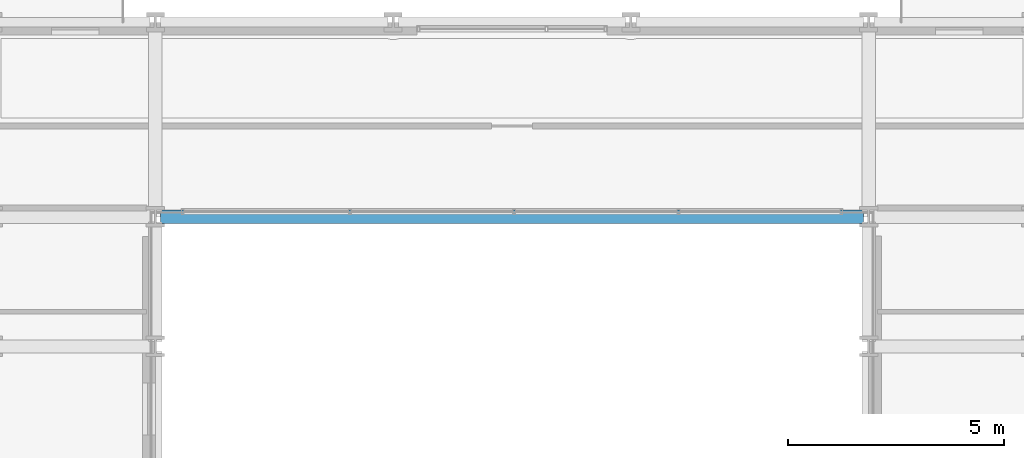
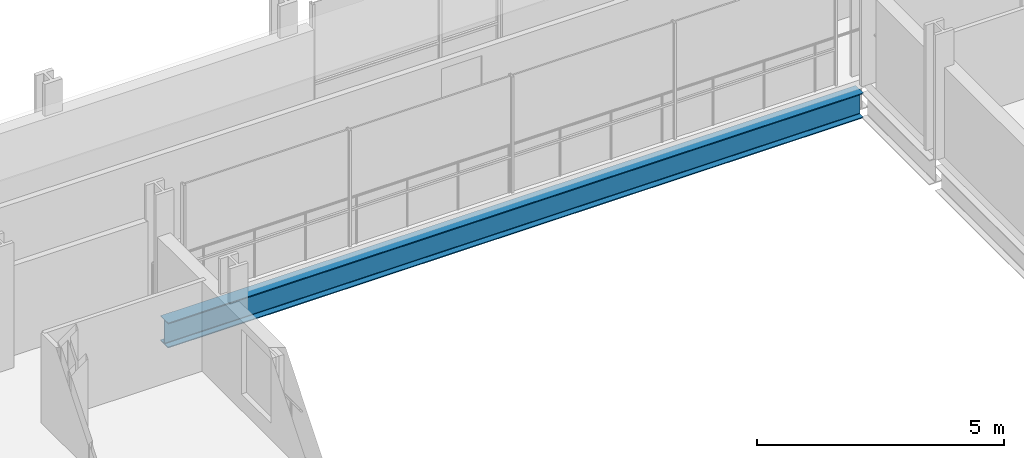
# One storey, part 10 of 40: 1 beam.
"""IFC4 building model written with IfcOpenShell, lengths in metres."""

from ifc_helpers import new_model, si_unit, direction, frame, origin, origin_2d, place, context, subcontext, project, spatial, i_section, extrude, material, material_profile, profile_set, type_object, element, save


model = new_model("IFC4")

# Units and contexts
model_context = context("Model", 3, precision=1e-05, world=origin(), true_north=direction((0.0, 1.0)))
body_context = subcontext(model_context, "Body", "Model", "MODEL_VIEW")
ifc_project = project(units=[si_unit("LENGTHUNIT", "METRE"), si_unit("AREAUNIT", "SQUARE_METRE"), si_unit("VOLUMEUNIT", "CUBIC_METRE"), si_unit("PLANEANGLEUNIT", "RADIAN"), si_unit("MASSUNIT", "GRAM", prefix="KILO")], contexts=[model_context])

# Site, building, storey
site_placement = place(None, origin())
site = spatial("IfcSite", under=ifc_project, at=site_placement, CompositionType="ELEMENT")
building_placement = place(site_placement, origin())
building = spatial("IfcBuilding", under=site, at=building_placement, Name="Brevholm Reach", CompositionType="ELEMENT")
storey_placement = place(building_placement, frame((0.0, 0.0, 37.300048828125)))
storey = spatial("IfcBuildingStorey", under=building, at=storey_placement, Name="L09", CompositionType="ELEMENT", Elevation=37.300048828125)

# Beam
ifc_material = material(Name="Structural Steel S355J2", Category="steel")
ifc_material_profile = material_profile(ifc_material, i_section(OverallWidth=0.30712890625, OverallDepth=0.6201171875, WebThickness=0.01416015625, FlangeThickness=0.023681640625, FilletRadius=0.0166015625, at=origin_2d()), Name="UKB 610x305x179")
ifc_profile_set = profile_set([ifc_material_profile], Name="Structural Steel S355J2")
beam_type = type_object("IfcBeamType", Name="BM-UKB610H", PredefinedType="USERDEFINED", material=ifc_profile_set)
beam_placement = place(storey_placement, frame((21.8701171875, 26.5, -0.5400390625), z_axis=(1.0, 0.0, 0.0), x_axis=(0.0, 1.0, 0.0)))
element("IfcBeam", 1, at=beam_placement, inside=storey, type_object=beam_type, Name="L09 G-06 Framing Beam", ObjectType="GIRDER", PredefinedType="USERDEFINED", context=body_context, shape_type="SweptSolid", body=[
    extrude(i_section(OverallWidth=0.30712890625, OverallDepth=0.6201171875, WebThickness=0.01416015625, FlangeThickness=0.023681640625, FilletRadius=0.0166015625, at=origin_2d()), origin(), (0.0, 0.0, 1.0), 16.259765625),
])

save(model, "model.ifc")
